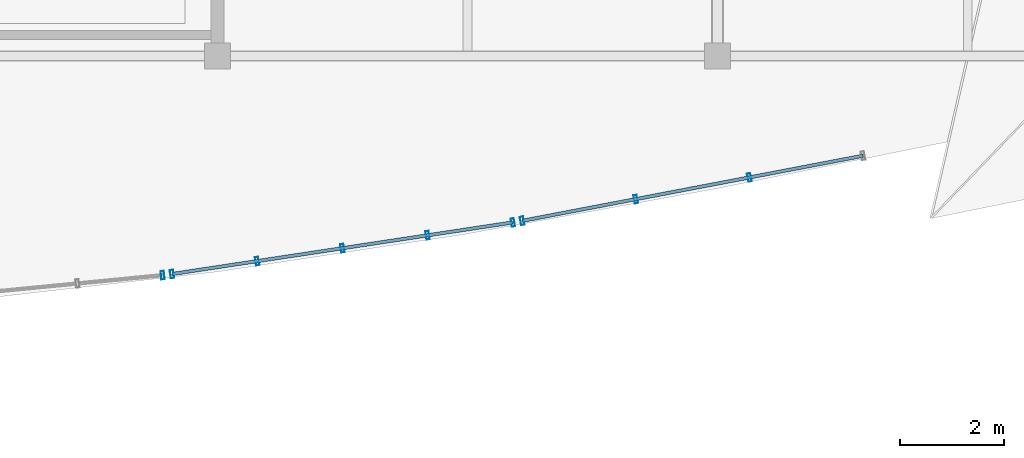
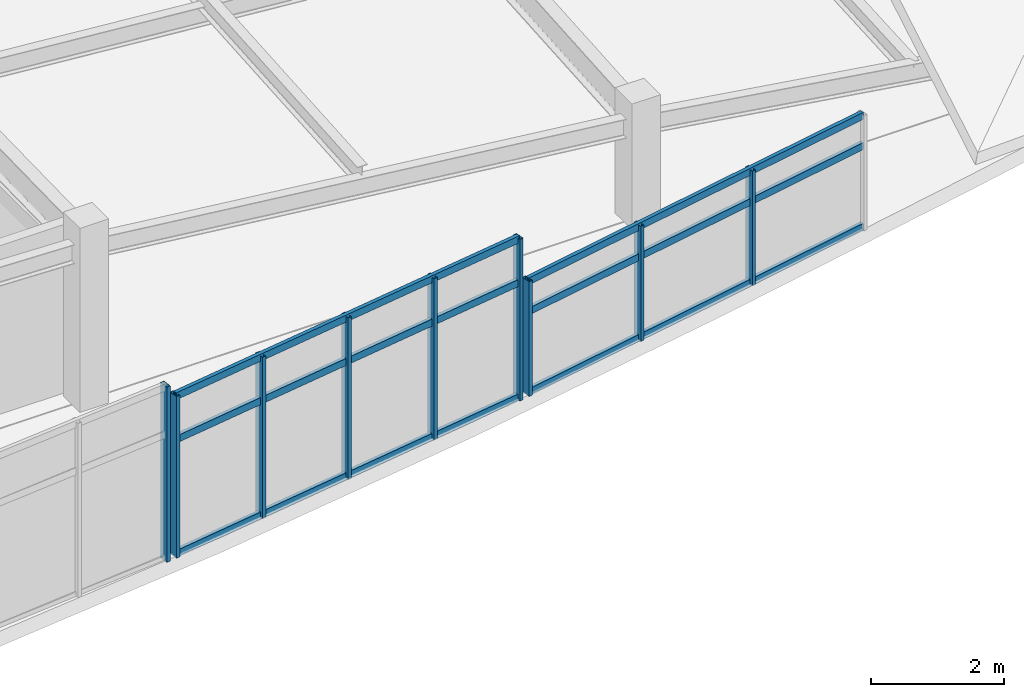
# One storey, part 29 of 65: 15 members, 3 elements without a shape of their own.
"""IFC4 building model written with IfcOpenShell, lengths in metres."""

from ifc_helpers import new_model, si_unit, direction, frame, origin, origin_2d, place, context, subcontext, project, spatial, hollow_rectangle, extrude, material, layer, layer_set, material_profile, profile_set, type_object, element, aggregate, save


model = new_model("IFC4")

# Units and contexts
model_context = context("Model", 3, precision=1e-05, world=origin(), true_north=direction((0.0, 1.0)))
body_context = subcontext(model_context, "Body", "Model", "MODEL_VIEW")
ifc_project = project(units=[si_unit("LENGTHUNIT", "METRE"), si_unit("AREAUNIT", "SQUARE_METRE"), si_unit("VOLUMEUNIT", "CUBIC_METRE"), si_unit("PLANEANGLEUNIT", "RADIAN"), si_unit("MASSUNIT", "GRAM", prefix="KILO")], contexts=[model_context])

# Site, building, storey
site_placement = place(None, origin())
site = spatial("IfcSite", under=ifc_project, at=site_placement, CompositionType="ELEMENT")
building_placement = place(site_placement, origin())
building = spatial("IfcBuilding", under=site, at=building_placement, Name="Chalmorin Arch Market", CompositionType="ELEMENT")
storey_placement = place(building_placement, frame((0.0, 0.0, 14.10009765625)))
storey = spatial("IfcBuildingStorey", under=building, at=storey_placement, Name="L03", CompositionType="ELEMENT", Elevation=14.10009765625)

# Curtain wall, member
ifc_material = material(Name="Aluminium 6063-T6", Category="aluminium")
ifc_layer_1 = layer(ifc_material, 0.159912109375)
ifc_layer_set_1 = layer_set([ifc_layer_1], Name="Aluminium 6063-T6")
curtain_wall_type_1 = type_object("IfcCurtainWallType", Name="CulinaryStudioCurtainWall-CW3-6570x3220", PredefinedType="NOTDEFINED", material=ifc_layer_set_1)
curtain_wall_1_placement = place(storey_placement, origin())
curtain_wall_1 = element("IfcCurtainWall", 1, at=curtain_wall_1_placement, inside=storey, type_object=curtain_wall_type_1, Name="CW-03-170", PredefinedType="NOTDEFINED")
ifc_material_profile_1 = material_profile(ifc_material, hollow_rectangle(XDim=0.06494140625, YDim=0.159912109375, WallThickness=0.00390625, at=origin_2d()), Name="ALU65X160X4")
ifc_profile_set_1 = profile_set([ifc_material_profile_1], Name="Aluminium 6063-T6")
member_type_1 = type_object("IfcMemberType", Name="CurtainWallMullion-65x160", PredefinedType="MULLION", material=ifc_profile_set_1)
member_1_placement = place(storey_placement, frame((94.950439453125, 67.790283203125, -0.02001953125), z_axis=(0.0, 0.0, 1.0), x_axis=(0.994521895368, 0.104528463268, 0.0)))
member_1 = element("IfcMember", 2, at=member_1_placement, type_object=member_type_1, Name="ML-170-05", PredefinedType="MULLION", context=body_context, shape_type="SweptSolid", body=[
    extrude(hollow_rectangle(XDim=0.06494140625, YDim=0.159912109375, WallThickness=0.00390625, at=origin_2d()), origin(), (0.0, 0.0, 1.0), 3.223876953125),
])
aggregate(curtain_wall_1, [member_1])

# Curtain wall, members
ifc_layer_2 = layer(ifc_material, 0.159912109375)
ifc_layer_set_2 = layer_set([ifc_layer_2], Name="Aluminium 6063-T6")
curtain_wall_type_2 = type_object("IfcCurtainWallType", Name="CulinaryStudioCurtainWall-CW3-6620x2970", PredefinedType="NOTDEFINED", material=ifc_layer_set_2)
curtain_wall_2_placement = place(storey_placement, origin())
curtain_wall_2 = element("IfcCurtainWall", 3, at=curtain_wall_2_placement, inside=storey, type_object=curtain_wall_type_2, Name="CW-03-173", PredefinedType="NOTDEFINED")
member_2_placement = place(storey_placement, frame((95.12890625, 67.8125, -0.02001953125), z_axis=(0.0, 0.0, 1.0), x_axis=(0.987688340595, 0.15643446504, 0.0)))
member_2 = element("IfcMember", 4, at=member_2_placement, type_object=member_type_1, Name="ML-173-01", PredefinedType="MULLION", context=body_context, shape_type="SweptSolid", body=[
    extrude(hollow_rectangle(XDim=0.06494140625, YDim=0.159912109375, WallThickness=0.00390625, at=origin_2d()), origin(), (0.0, 0.0, 1.0), 2.972900390625),
])
member_3_placement = place(storey_placement, frame((96.764404296875, 68.06005859375, -0.02001953125), z_axis=(0.0, 0.0, 1.0), x_axis=(0.987688340595, 0.15643446504, 0.0)))
member_3 = element("IfcMember", 5, at=member_3_placement, type_object=member_type_1, Name="ML-173-02", PredefinedType="MULLION", context=body_context, shape_type="SweptSolid", body=[
    extrude(hollow_rectangle(XDim=0.06494140625, YDim=0.159912109375, WallThickness=0.00390625, at=origin_2d()), origin(), (0.0, 0.0, 1.0), 2.972900390625),
])
member_4_placement = place(storey_placement, frame((98.39990234375, 68.3076171875, -0.02001953125), z_axis=(0.0, 0.0, 1.0), x_axis=(0.987688340595, 0.15643446504, 0.0)))
member_4 = element("IfcMember", 6, at=member_4_placement, type_object=member_type_1, Name="ML-173-03", PredefinedType="MULLION", context=body_context, shape_type="SweptSolid", body=[
    extrude(hollow_rectangle(XDim=0.06494140625, YDim=0.159912109375, WallThickness=0.00390625, at=origin_2d()), origin(), (0.0, 0.0, 1.0), 2.972900390625),
])
member_5_placement = place(storey_placement, frame((100.035400390625, 68.554931640625, -0.02001953125), z_axis=(0.0, 0.0, 1.0), x_axis=(0.987688340595, 0.15643446504, 0.0)))
member_5 = element("IfcMember", 7, at=member_5_placement, type_object=member_type_1, Name="ML-173-04", PredefinedType="MULLION", context=body_context, shape_type="SweptSolid", body=[
    extrude(hollow_rectangle(XDim=0.06494140625, YDim=0.159912109375, WallThickness=0.00390625, at=origin_2d()), origin(), (0.0, 0.0, 1.0), 2.972900390625),
])
member_6_placement = place(storey_placement, frame((101.6708984375, 68.802490234375, -0.02001953125), z_axis=(0.0, 0.0, 1.0), x_axis=(0.987688340595, 0.15643446504, 0.0)))
member_6 = element("IfcMember", 8, at=member_6_placement, type_object=member_type_1, Name="ML-173-05", PredefinedType="MULLION", context=body_context, shape_type="SweptSolid", body=[
    extrude(hollow_rectangle(XDim=0.06494140625, YDim=0.159912109375, WallThickness=0.00390625, at=origin_2d()), origin(), (0.0, 0.0, 1.0), 2.972900390625),
])

ifc_layer_3 = layer(ifc_material, 0.159912109375)
ifc_layer_set_3 = layer_set([ifc_layer_3], Name="Aluminium 6063-T6")
curtain_wall_type_3 = type_object("IfcCurtainWallType", Name="CulinaryStudioCurtainWall-CW3-6660x2110", PredefinedType="NOTDEFINED", material=ifc_layer_set_3)
curtain_wall_3_placement = place(storey_placement, origin())
curtain_wall_3 = element("IfcCurtainWall", 9, at=curtain_wall_3_placement, inside=storey, type_object=curtain_wall_type_3, Name="CW-03-176", PredefinedType="NOTDEFINED")
member_7_placement = place(storey_placement, frame((101.848388671875, 68.8330078125, -0.02001953125), z_axis=(0.0, 0.0, 1.0), x_axis=(0.981627183448, 0.190808995377, 0.0)))
member_7 = element("IfcMember", 10, at=member_7_placement, type_object=member_type_1, Name="ML-176-01", PredefinedType="MULLION", context=body_context, shape_type="SweptSolid", body=[
    extrude(hollow_rectangle(XDim=0.06494140625, YDim=0.159912109375, WallThickness=0.00390625, at=origin_2d()), origin(), (0.0, 0.0, 1.0), 2.114013671875),
])
member_8_placement = place(storey_placement, frame((104.029541015625, 69.249267578125, -0.02001953125), z_axis=(0.0, 0.0, 1.0), x_axis=(0.981627183448, 0.190808995377, 0.0)))
member_8 = element("IfcMember", 11, at=member_8_placement, type_object=member_type_1, Name="ML-176-02", PredefinedType="MULLION", context=body_context, shape_type="SweptSolid", body=[
    extrude(hollow_rectangle(XDim=0.06494140625, YDim=0.159912109375, WallThickness=0.00390625, at=origin_2d()), origin(), (0.0, 0.0, 1.0), 2.114013671875),
])
member_9_placement = place(storey_placement, frame((106.21044921875, 69.665771484375, -0.02001953125), z_axis=(0.0, 0.0, 1.0), x_axis=(0.981627183448, 0.190808995377, 0.0)))
member_9 = element("IfcMember", 12, at=member_9_placement, type_object=member_type_1, Name="ML-176-03", PredefinedType="MULLION", context=body_context, shape_type="SweptSolid", body=[
    extrude(hollow_rectangle(XDim=0.06494140625, YDim=0.159912109375, WallThickness=0.00390625, at=origin_2d()), origin(), (0.0, 0.0, 1.0), 2.114013671875),
])

# Member
ifc_material_profile_2 = material_profile(ifc_material, hollow_rectangle(XDim=0.06494140625, YDim=0.1298828125, WallThickness=0.00390625, at=origin_2d()), Name="ALU65X130X4")
ifc_profile_set_2 = profile_set([ifc_material_profile_2], Name="Aluminium 6063-T6")
member_type_2 = type_object("IfcMemberType", Name="CurtainWallTransom-65x130", PredefinedType="USERDEFINED", material=ifc_profile_set_2)
member_10_placement = place(storey_placement, frame((95.12890625, 67.8125, 0.014892578125), z_axis=(0.988742814157, 0.149625022817, 0.0), x_axis=(-0.149625022817, 0.988742814157, 0.0)))
member_10 = element("IfcMember", 13, at=member_10_placement, type_object=member_type_2, Name="TR-173-01", ObjectType="TRANSOM", PredefinedType="USERDEFINED", context=body_context, shape_type="SweptSolid", body=[
    extrude(hollow_rectangle(XDim=0.06494140625, YDim=0.1298828125, WallThickness=0.00390625, at=origin_2d()), origin(), (0.0, 0.0, 1.0), 6.616455078125),
])

member_11_placement = place(storey_placement, frame((95.12890625, 67.8125, 2.12060546875), z_axis=(0.988742814157, 0.149625022817, 0.0), x_axis=(-0.149625022817, 0.988742814157, 0.0)))
member_11 = element("IfcMember", 14, at=member_11_placement, type_object=member_type_2, Name="TR-173-02", ObjectType="TRANSOM", PredefinedType="USERDEFINED", context=body_context, shape_type="SweptSolid", body=[
    extrude(hollow_rectangle(XDim=0.06494140625, YDim=0.1298828125, WallThickness=0.00390625, at=origin_2d()), origin(), (0.0, 0.0, 1.0), 6.616455078125),
])

member_12_placement = place(storey_placement, frame((95.12890625, 67.8125, 2.91796875), z_axis=(0.988742814157, 0.149625022817, 0.0), x_axis=(-0.149625022817, 0.988742814157, 0.0)))
member_12 = element("IfcMember", 15, at=member_12_placement, type_object=member_type_2, Name="TR-173-03", ObjectType="TRANSOM", PredefinedType="USERDEFINED", context=body_context, shape_type="SweptSolid", body=[
    extrude(hollow_rectangle(XDim=0.06494140625, YDim=0.1298828125, WallThickness=0.00390625, at=origin_2d()), origin(), (0.0, 0.0, 1.0), 6.616455078125),
])

aggregate(curtain_wall_2, [member_2, member_3, member_4, member_5, member_6, member_10, member_11, member_12])

member_13_placement = place(storey_placement, frame((101.848388671875, 68.8330078125, 0.014892578125), z_axis=(0.982264065399, 0.187502815514, 0.0), x_axis=(-0.187502815514, 0.982264065399, 0.0)))
member_13 = element("IfcMember", 16, at=member_13_placement, type_object=member_type_2, Name="TR-176-01", ObjectType="TRANSOM", PredefinedType="USERDEFINED", context=body_context, shape_type="SweptSolid", body=[
    extrude(hollow_rectangle(XDim=0.06494140625, YDim=0.1298828125, WallThickness=0.00390625, at=origin_2d()), origin(), (0.0, 0.0, 1.0), 6.661376953125),
])

member_14_placement = place(storey_placement, frame((101.848388671875, 68.8330078125, 1.501953125), z_axis=(0.982264065399, 0.187502815514, 0.0), x_axis=(-0.187502815514, 0.982264065399, 0.0)))
member_14 = element("IfcMember", 17, at=member_14_placement, type_object=member_type_2, Name="TR-176-02", ObjectType="TRANSOM", PredefinedType="USERDEFINED", context=body_context, shape_type="SweptSolid", body=[
    extrude(hollow_rectangle(XDim=0.06494140625, YDim=0.1298828125, WallThickness=0.00390625, at=origin_2d()), origin(), (0.0, 0.0, 1.0), 6.661376953125),
])

member_15_placement = place(storey_placement, frame((101.848388671875, 68.8330078125, 2.058837890625), z_axis=(0.982264065399, 0.187502815514, 0.0), x_axis=(-0.187502815514, 0.982264065399, 0.0)))
member_15 = element("IfcMember", 18, at=member_15_placement, type_object=member_type_2, Name="TR-176-03", ObjectType="TRANSOM", PredefinedType="USERDEFINED", context=body_context, shape_type="SweptSolid", body=[
    extrude(hollow_rectangle(XDim=0.06494140625, YDim=0.1298828125, WallThickness=0.00390625, at=origin_2d()), origin(), (0.0, 0.0, 1.0), 6.661376953125),
])

aggregate(curtain_wall_3, [member_7, member_8, member_9, member_13, member_14, member_15])

save(model, "model.ifc")
